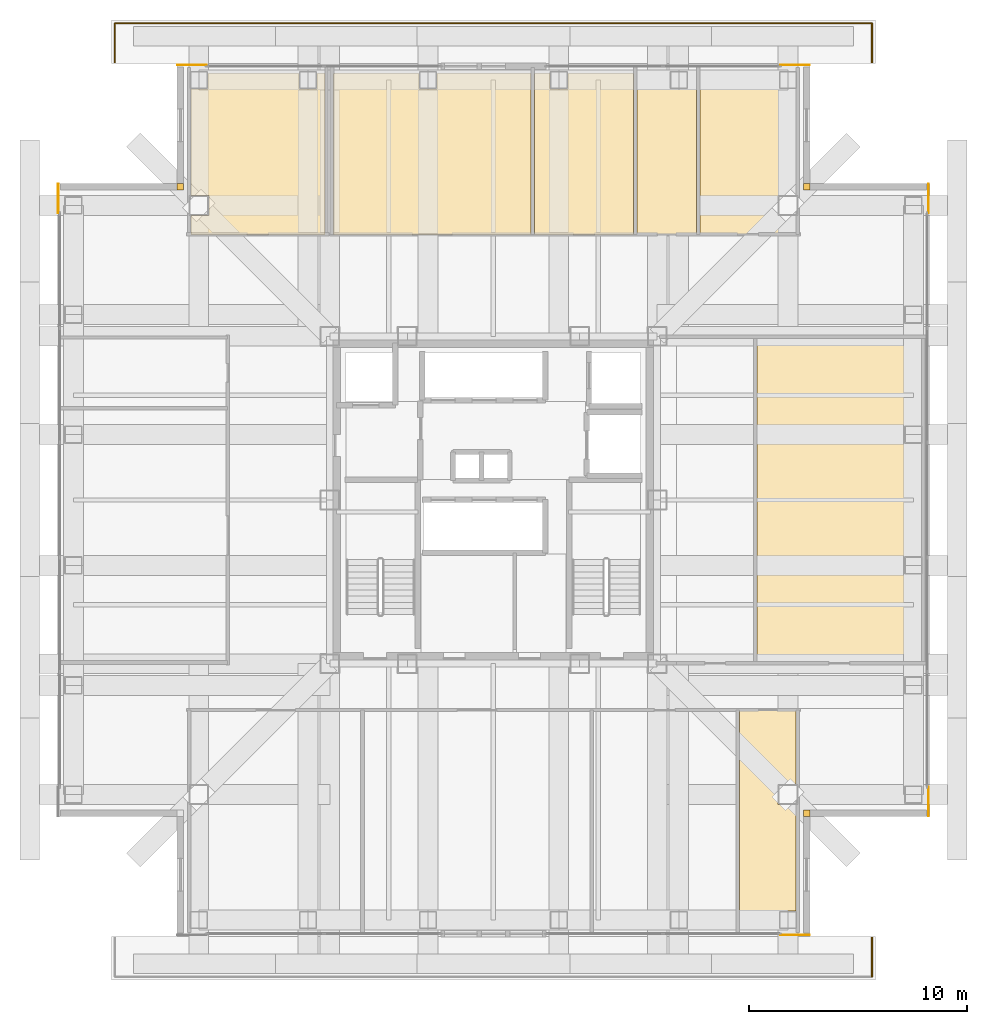
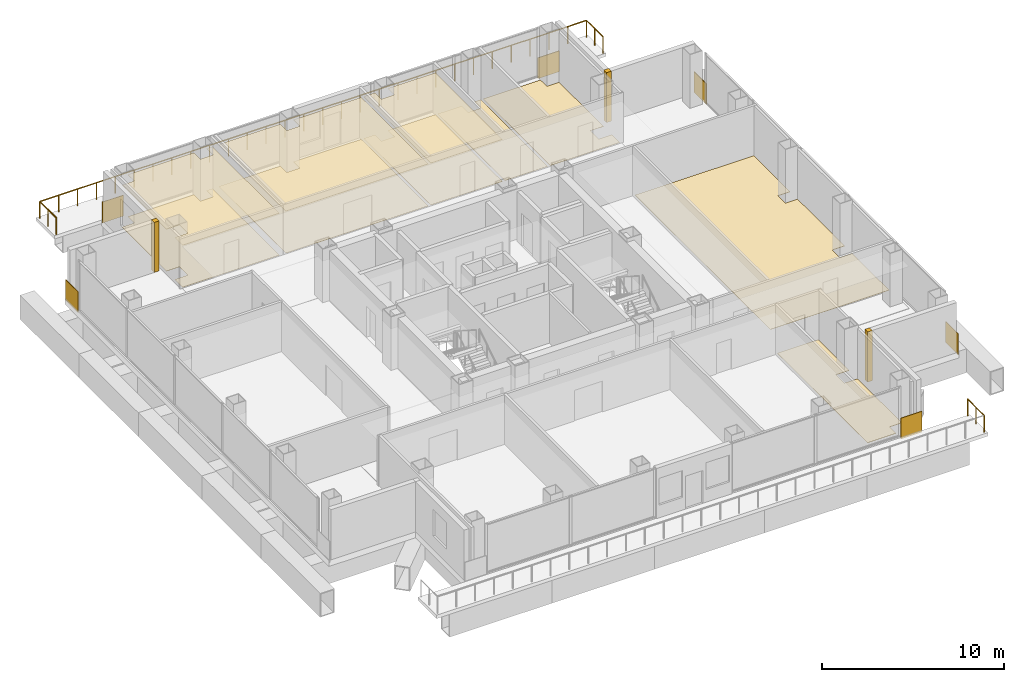
# One storey, part 14 of 14: 19 coverings, 4 railings.
"""IFC4 building model written with IfcOpenShell, lengths in metres."""

from ifc_helpers import new_model, si_unit, direction, frame, frame_2d, origin, origin_2d, place, context, subcontext, project, spatial, polyline, rectangle, circle, outline, extrude, material, layer, layer_set, type_object, element, save


model = new_model("IFC4")

# Units and contexts
model_context = context("Model", 3, precision=1e-05, world=origin(), true_north=direction((0.0, 1.0)))
body_context = subcontext(model_context, "Body", "Model", "MODEL_VIEW")
ifc_project = project(units=[si_unit("LENGTHUNIT", "METRE"), si_unit("AREAUNIT", "SQUARE_METRE"), si_unit("VOLUMEUNIT", "CUBIC_METRE"), si_unit("PLANEANGLEUNIT", "RADIAN"), si_unit("MASSUNIT", "GRAM", prefix="KILO")], contexts=[model_context])

# Site, building, storey
site_placement = place(None, origin())
site = spatial("IfcSite", under=ifc_project, at=site_placement, CompositionType="ELEMENT")
building_placement = place(site_placement, origin())
building = spatial("IfcBuilding", under=site, at=building_placement, Name="Trevonay Congress Spire", CompositionType="ELEMENT")
storey_placement = place(building_placement, frame((0.0, 0.0, 166.199951171875)))
storey = spatial("IfcBuildingStorey", under=building, at=storey_placement, Name="L42", CompositionType="ELEMENT", Elevation=166.199951171875)

# Coverings
ifc_material_1 = material(Name="Acoustic Mineral Fibre Board", Category="gypsum")
ifc_layer_1 = layer(ifc_material_1, 0.02490234375, Name="Acoustic Mineral Fibre Board")
ifc_layer_set_1 = layer_set([ifc_layer_1], Name="Acoustic Mineral Fibre Board")
covering_type_1 = type_object("IfcCoveringType", Name="COV-CEIL-ACOUSTIC", PredefinedType="CEILING", material=ifc_layer_set_1)
covering_1_placement = place(storey_placement, frame((0.0, 0.0, 2.81005859375)))
element("IfcCovering", 1, at=covering_1_placement, inside=storey, type_object=covering_type_1, Name="L42 North-West Viewing Terrace Salon acoustic suspended ceiling", PredefinedType="CEILING", context=body_context, shape_type="SweptSolid", body=[
    extrude(outline(polyline([(-7.72998046875, 19.550048828125), (-7.72998046875, 12.179931640625), (-13.8701171875, 12.179931640625), (-13.8701171875, 13.0400390625), (-13.0400390625, 13.0400390625), (-13.0400390625, 13.9599609375), (-13.8701171875, 13.9599609375), (-13.8701171875, 18.840087890625), (-13.090087890625, 18.840087890625), (-13.090087890625, 19.550048828125), (-8.909912109375, 19.550048828125), (-8.909912109375, 18.840087890625), (-8.090087890625, 18.840087890625), (-8.090087890625, 19.550048828125), (-7.72998046875, 19.550048828125)])), origin(), (0.0, 0.0, 1.0), 0.02490234375),
])
covering_2_placement = place(storey_placement, frame((0.0, 0.0, 2.81005859375)))
element("IfcCovering", 2, at=covering_2_placement, inside=storey, type_object=covering_type_1, Name="L42 Sky-Garden Boardroom acoustic suspended ceiling", PredefinedType="CEILING", context=body_context, shape_type="SweptSolid", body=[
    extrude(outline(polyline([(1.719970703125, 19.550048828125), (1.719970703125, 12.179931640625), (-7.320068359375, 12.179931640625), (-7.320068359375, 19.550048828125), (-3.409912109375, 19.550048828125), (-3.409912109375, 18.840087890625), (-2.590087890625, 18.840087890625), (-2.590087890625, 19.550048828125), (1.719970703125, 19.550048828125)])), origin(), (0.0, 0.0, 1.0), 0.02490234375),
])
covering_3_placement = place(storey_placement, frame((0.0, 0.0, 2.81005859375)))
element("IfcCovering", 3, at=covering_3_placement, inside=storey, type_object=covering_type_1, Name="L42 Catering Kitchen acoustic suspended ceiling", PredefinedType="CEILING", context=body_context, shape_type="SweptSolid", body=[
    extrude(outline(polyline([(6.419921875, 19.550048828125), (6.419921875, 12.179931640625), (1.8798828125, 12.179931640625), (1.8798828125, 19.550048828125), (2.590087890625, 19.550048828125), (2.590087890625, 18.840087890625), (3.409912109375, 18.840087890625), (3.409912109375, 19.550048828125), (6.419921875, 19.550048828125)])), origin(), (0.0, 0.0, 1.0), 0.02490234375),
])
ifc_material_2 = material(Name="Polished Granite Floor Tile", Category="masonry")
ifc_layer_2 = layer(ifc_material_2, 0.02001953125, Name="Polished Granite Floor Tile")
ifc_layer_set_2 = layer_set([ifc_layer_2], Name="Polished Granite Floor Tile")
covering_type_2 = type_object("IfcCoveringType", Name="COV-FLOOR-STONE", PredefinedType="FLOORING", material=ifc_layer_set_2)
covering_4_placement = place(storey_placement, origin())
element("IfcCovering", 4, at=covering_4_placement, inside=storey, type_object=covering_type_2, Name="L42 Accessible WC floor finish", PredefinedType="FLOORING", context=body_context, shape_type="SweptSolid", body=[
    extrude(outline(polyline([(11.280029296875, -19.550048828125), (11.280029296875, -9.6298828125), (13.8701171875, -9.6298828125), (13.8701171875, -13.0400390625), (13.0400390625, -13.0400390625), (13.0400390625, -13.9599609375), (13.8701171875, -13.9599609375), (13.8701171875, -18.840087890625), (13.090087890625, -18.840087890625), (13.090087890625, -19.550048828125), (11.280029296875, -19.550048828125)])), origin(), (0.0, 0.0, 1.0), 0.02001953125),
])
covering_5_placement = place(storey_placement, origin())
element("IfcCovering", 5, at=covering_5_placement, inside=storey, type_object=covering_type_2, Name="L42 Catering Kitchen floor finish", PredefinedType="FLOORING", context=body_context, shape_type="SweptSolid", body=[
    extrude(outline(polyline([(6.419921875, 19.550048828125), (6.419921875, 12.179931640625), (1.8798828125, 12.179931640625), (1.8798828125, 19.550048828125), (2.590087890625, 19.550048828125), (2.590087890625, 18.840087890625), (3.409912109375, 18.840087890625), (3.409912109375, 19.550048828125), (6.419921875, 19.550048828125)])), origin(), (0.0, 0.0, 1.0), 0.02001953125),
])
covering_6_placement = place(storey_placement, origin())
element("IfcCovering", 6, at=covering_6_placement, inside=storey, type_object=covering_type_2, Name="L42 Female Restroom WC floor finish", PredefinedType="FLOORING", context=body_context, shape_type="SweptSolid", body=[
    extrude(outline(polyline([(9.300048828125, 19.550048828125), (9.300048828125, 12.179931640625), (6.580078125, 12.179931640625), (6.580078125, 19.550048828125), (8.090087890625, 19.550048828125), (8.090087890625, 18.840087890625), (8.909912109375, 18.840087890625), (8.909912109375, 19.550048828125), (9.300048828125, 19.550048828125)])), origin(), (0.0, 0.0, 1.0), 0.02001953125),
])
covering_7_placement = place(storey_placement, origin())
element("IfcCovering", 7, at=covering_7_placement, inside=storey, type_object=covering_type_2, Name="L42 Floor Supplies and Copy Room floor finish", PredefinedType="FLOORING", context=body_context, shape_type="SweptSolid", body=[
    extrude(outline(polyline([(13.8701171875, 12.179931640625), (9.4599609375, 12.179931640625), (9.4599609375, 19.550048828125), (13.090087890625, 19.550048828125), (13.090087890625, 18.840087890625), (13.8701171875, 18.840087890625), (13.8701171875, 13.9599609375), (13.0400390625, 13.9599609375), (13.0400390625, 13.0400390625), (13.8701171875, 13.0400390625), (13.8701171875, 12.179931640625)])), origin(), (0.0, 0.0, 1.0), 0.02001953125),
])
covering_8_placement = place(storey_placement, origin())
element("IfcCovering", 8, at=covering_8_placement, inside=storey, type_object=covering_type_2, Name="L42 Courier Mailroom floor finish", PredefinedType="FLOORING", context=body_context, shape_type="SweptSolid", body=[
    extrude(outline(polyline([(19.6201171875, -7.47998046875), (12.080078125, -7.47998046875), (12.080078125, 7.39990234375), (19.6201171875, 7.39990234375), (19.6201171875, 3.409912109375), (18.840087890625, 3.409912109375), (18.840087890625, 2.590087890625), (19.6201171875, 2.590087890625), (19.6201171875, -2.590087890625), (18.840087890625, -2.590087890625), (18.840087890625, -3.409912109375), (19.6201171875, -3.409912109375), (19.6201171875, -7.47998046875)])), origin(), (0.0, 0.0, 1.0), 0.02001953125),
])
ifc_material_3 = material(Name="Engineered Oak Flooring", Category="wood")
ifc_layer_3 = layer(ifc_material_3, 0.01806640625, Name="Engineered Oak Flooring")
ifc_layer_set_3 = layer_set([ifc_layer_3], Name="Engineered Oak Flooring")
covering_type_3 = type_object("IfcCoveringType", Name="COV-FLOOR-TIMBER", PredefinedType="FLOORING", material=ifc_layer_set_3)
covering_9_placement = place(storey_placement, origin())
element("IfcCovering", 9, at=covering_9_placement, inside=storey, type_object=covering_type_3, Name="L42 North-West Viewing Terrace Salon floor finish", PredefinedType="FLOORING", context=body_context, shape_type="SweptSolid", body=[
    extrude(outline(polyline([(-7.72998046875, 19.550048828125), (-7.72998046875, 12.179931640625), (-13.8701171875, 12.179931640625), (-13.8701171875, 13.0400390625), (-13.0400390625, 13.0400390625), (-13.0400390625, 13.9599609375), (-13.8701171875, 13.9599609375), (-13.8701171875, 18.840087890625), (-13.090087890625, 18.840087890625), (-13.090087890625, 19.550048828125), (-8.909912109375, 19.550048828125), (-8.909912109375, 18.840087890625), (-8.090087890625, 18.840087890625), (-8.090087890625, 19.550048828125), (-7.72998046875, 19.550048828125)])), origin(), (0.0, 0.0, 1.0), 0.01806640625),
])
covering_10_placement = place(storey_placement, origin())
element("IfcCovering", 10, at=covering_10_placement, inside=storey, type_object=covering_type_3, Name="L42 Sky-Garden Boardroom floor finish", PredefinedType="FLOORING", context=body_context, shape_type="SweptSolid", body=[
    extrude(outline(polyline([(1.719970703125, 19.550048828125), (1.719970703125, 12.179931640625), (-7.320068359375, 12.179931640625), (-7.320068359375, 19.550048828125), (-3.409912109375, 19.550048828125), (-3.409912109375, 18.840087890625), (-2.590087890625, 18.840087890625), (-2.590087890625, 19.550048828125), (1.719970703125, 19.550048828125)])), origin(), (0.0, 0.0, 1.0), 0.01806640625),
])
ifc_material_4 = material(Name="Pale Anodised Aluminium EN AW-6063-T6", Category="aluminium")
ifc_layer_4 = layer(ifc_material_4, 0.0400390625, Name="Pale Anodised Aluminium EN AW-6063-T6")
ifc_layer_set_4 = layer_set([ifc_layer_4], Name="Pale Anodised Aluminium EN AW-6063-T6")
covering_type_4 = type_object("IfcCoveringType", Name="COV-SPANDREL-PALE-METAL", PredefinedType="CLADDING", material=ifc_layer_set_4)
covering_11_placement = place(storey_placement, origin())
element("IfcCovering", 11, at=covering_11_placement, inside=storey, type_object=covering_type_4, Name="L42 SE re-entrant notch corner closure trim", PredefinedType="CLADDING", context=body_context, shape_type="SweptSolid", body=[
    extrude(outline(polyline([(14.199951171875, -14.5), (14.5, -14.5), (14.5, -14.199951171875), (14.199951171875, -14.199951171875), (14.199951171875, -14.5)])), origin(), (0.0, 0.0, 1.0), 3.360107421875),
])
for number, where, z_axis, x_axis, name in (
    (12, (19.93994140625, -13.14990234375, -0.14990234375), (0.0, 0.0, 1.0), (0.0, -1.0, 0.0), "L42 SE corner pier spandrel cladding 1"),
    (13, (13.14990234375, -19.93994140625, -0.14990234375), (0.0, 0.0, 1.0), (1.0, 0.0, 0.0), "L42 SE corner pier spandrel cladding 2"),
):
    element("IfcCovering", number, at=place(storey_placement, frame(where, z_axis=z_axis, x_axis=x_axis)), inside=storey, type_object=covering_type_4, Name=name, PredefinedType="CLADDING", context=body_context, shape_type="SweptSolid", body=[
        extrude(rectangle(XDim=1.35009765625, YDim=0.0400390625, at=frame_2d((0.675048828125, 0.0))), origin(), (0.0, 0.0, 1.0), 1.39990234375),
    ])
covering_12_placement = place(storey_placement, origin())
element("IfcCovering", 14, at=covering_12_placement, inside=storey, type_object=covering_type_4, Name="L42 NE re-entrant notch corner closure trim", PredefinedType="CLADDING", context=body_context, shape_type="SweptSolid", body=[
    extrude(outline(polyline([(14.199951171875, 14.199951171875), (14.5, 14.199951171875), (14.5, 14.5), (14.199951171875, 14.5), (14.199951171875, 14.199951171875)])), origin(), (0.0, 0.0, 1.0), 3.360107421875),
])
for number, where, z_axis, x_axis, name in (
    (15, (19.93994140625, 13.14990234375, -0.14990234375), (0.0, 0.0, 1.0), (0.0, 1.0, 0.0), "L42 NE corner pier spandrel cladding 1"),
    (16, (13.14990234375, 19.93994140625, -0.14990234375), (0.0, 0.0, 1.0), (1.0, 0.0, 0.0), "L42 NE corner pier spandrel cladding 2"),
):
    element("IfcCovering", number, at=place(storey_placement, frame(where, z_axis=z_axis, x_axis=x_axis)), inside=storey, type_object=covering_type_4, Name=name, PredefinedType="CLADDING", context=body_context, shape_type="SweptSolid", body=[
        extrude(rectangle(XDim=1.35009765625, YDim=0.0400390625, at=frame_2d((0.675048828125, 0.0))), origin(), (0.0, 0.0, 1.0), 1.39990234375),
    ])
covering_13_placement = place(storey_placement, origin())
element("IfcCovering", 17, at=covering_13_placement, inside=storey, type_object=covering_type_4, Name="L42 NW re-entrant notch corner closure trim", PredefinedType="CLADDING", context=body_context, shape_type="SweptSolid", body=[
    extrude(outline(polyline([(-14.5, 14.199951171875), (-14.199951171875, 14.199951171875), (-14.199951171875, 14.5), (-14.5, 14.5), (-14.5, 14.199951171875)])), origin(), (0.0, 0.0, 1.0), 3.360107421875),
])
for number, where, z_axis, x_axis, name in (
    (18, (-19.93994140625, 13.14990234375, -0.14990234375), (0.0, 0.0, 1.0), (0.0, 1.0, 0.0), "L42 NW corner pier spandrel cladding 1"),
    (19, (-13.14990234375, 19.93994140625, -0.14990234375), (0.0, 0.0, 1.0), (-1.0, 0.0, 0.0), "L42 NW corner pier spandrel cladding 2"),
):
    element("IfcCovering", number, at=place(storey_placement, frame(where, z_axis=z_axis, x_axis=x_axis)), inside=storey, type_object=covering_type_4, Name=name, PredefinedType="CLADDING", context=body_context, shape_type="SweptSolid", body=[
        extrude(rectangle(XDim=1.35009765625, YDim=0.0400390625, at=frame_2d((0.675048828125, 0.0))), origin(), (0.0, 0.0, 1.0), 1.39990234375),
    ])

# Railings
railing_type = type_object("IfcRailingType", Name="RAL-BALUSTRADE-115", PredefinedType="BALUSTRADE", material=ifc_material_4)
for number, where, name in (
    (20, (17.35009765625, -21.85009765625, 0.0), "L42 perimeter safety guard GRD-L42-SKY-S-3"),
    (21, (-17.35009765625, 20.050048828125, 0.0), "L42 perimeter safety guard GRD-L42-SKY-N-1"),
):
    element("IfcRailing", number, at=place(storey_placement, frame(where)), inside=storey, type_object=railing_type, Name=name, PredefinedType="BALUSTRADE", context=body_context, shape_type="SweptSolid", body=[
        extrude(circle(Radius=0.02392578125, at=origin_2d()), frame((0.0, 0.0, 1.1259765625), z_axis=(0.0, 1.0, 0.0), x_axis=(-1.0, 0.0, 0.0)), (0.0, 0.0, 1.0), 1.800048828125),
        extrude(circle(Radius=0.02099609375, at=origin_2d()), origin(), (0.0, 0.0, 1.0), 1.101806640625),
        extrude(circle(Radius=0.02099609375, at=origin_2d()), frame((0.0, 0.89990234375, 0.0)), (0.0, 0.0, 1.0), 1.101806640625),
        extrude(circle(Radius=0.02099609375, at=origin_2d()), frame((0.0, 1.800048828125, 0.0)), (0.0, 0.0, 1.0), 1.101806640625),
    ])
railing_1_placement = place(storey_placement, frame((-17.35009765625, 21.85009765625, 0.0)))
element("IfcRailing", 22, at=railing_1_placement, inside=storey, type_object=railing_type, Name="L42 perimeter safety guard GRD-L42-SKY-N-2", PredefinedType="BALUSTRADE", context=body_context, shape_type="SweptSolid", body=[
    extrude(circle(Radius=0.02392578125, at=origin_2d()), frame((0.0, 0.0, 1.1259765625), z_axis=(1.0, 0.0, 0.0), x_axis=(0.0, 1.0, 0.0)), (0.0, 0.0, 1.0), 34.7001953125),
    extrude(circle(Radius=0.02099609375, at=origin_2d()), origin(), (0.0, 0.0, 1.0), 1.101806640625),
    extrude(circle(Radius=0.02099609375, at=origin_2d()), frame((1.196533203125, 0.0, 0.0)), (0.0, 0.0, 1.0), 1.101806640625),
    extrude(circle(Radius=0.02099609375, at=origin_2d()), frame((2.39306640625, 0.0, 0.0)), (0.0, 0.0, 1.0), 1.101806640625),
    extrude(circle(Radius=0.02099609375, at=origin_2d()), frame((3.589599609375, 0.0, 0.0)), (0.0, 0.0, 1.0), 1.101806640625),
    extrude(circle(Radius=0.02099609375, at=origin_2d()), frame((4.7861328125, 0.0, 0.0)), (0.0, 0.0, 1.0), 1.101806640625),
    extrude(circle(Radius=0.02099609375, at=origin_2d()), frame((5.98291015625, 0.0, 0.0)), (0.0, 0.0, 1.0), 1.101806640625),
    extrude(circle(Radius=0.02099609375, at=origin_2d()), frame((7.179443359375, 0.0, 0.0)), (0.0, 0.0, 1.0), 1.101806640625),
    extrude(circle(Radius=0.02099609375, at=origin_2d()), frame((8.3759765625, 0.0, 0.0)), (0.0, 0.0, 1.0), 1.101806640625),
    extrude(circle(Radius=0.02099609375, at=origin_2d()), frame((9.572509765625, 0.0, 0.0)), (0.0, 0.0, 1.0), 1.101806640625),
    extrude(circle(Radius=0.02099609375, at=origin_2d()), frame((10.76904296875, 0.0, 0.0)), (0.0, 0.0, 1.0), 1.101806640625),
    extrude(circle(Radius=0.02099609375, at=origin_2d()), frame((11.965576171875, 0.0, 0.0)), (0.0, 0.0, 1.0), 1.101806640625),
    extrude(circle(Radius=0.02099609375, at=origin_2d()), frame((13.162109375, 0.0, 0.0)), (0.0, 0.0, 1.0), 1.101806640625),
    extrude(circle(Radius=0.02099609375, at=origin_2d()), frame((14.358642578125, 0.0, 0.0)), (0.0, 0.0, 1.0), 1.101806640625),
    extrude(circle(Radius=0.02099609375, at=origin_2d()), frame((15.55517578125, 0.0, 0.0)), (0.0, 0.0, 1.0), 1.101806640625),
    extrude(circle(Radius=0.02099609375, at=origin_2d()), frame((16.751708984375, 0.0, 0.0)), (0.0, 0.0, 1.0), 1.101806640625),
    extrude(circle(Radius=0.02099609375, at=origin_2d()), frame((17.948486328125, 0.0, 0.0)), (0.0, 0.0, 1.0), 1.101806640625),
    extrude(circle(Radius=0.02099609375, at=origin_2d()), frame((19.14501953125, 0.0, 0.0)), (0.0, 0.0, 1.0), 1.101806640625),
    extrude(circle(Radius=0.02099609375, at=origin_2d()), frame((20.341552734375, 0.0, 0.0)), (0.0, 0.0, 1.0), 1.101806640625),
    extrude(circle(Radius=0.02099609375, at=origin_2d()), frame((21.5380859375, 0.0, 0.0)), (0.0, 0.0, 1.0), 1.101806640625),
    extrude(circle(Radius=0.02099609375, at=origin_2d()), frame((22.734619140625, 0.0, 0.0)), (0.0, 0.0, 1.0), 1.101806640625),
    extrude(circle(Radius=0.02099609375, at=origin_2d()), frame((23.93115234375, 0.0, 0.0)), (0.0, 0.0, 1.0), 1.101806640625),
    extrude(circle(Radius=0.02099609375, at=origin_2d()), frame((25.127685546875, 0.0, 0.0)), (0.0, 0.0, 1.0), 1.101806640625),
    extrude(circle(Radius=0.02099609375, at=origin_2d()), frame((26.32421875, 0.0, 0.0)), (0.0, 0.0, 1.0), 1.101806640625),
    extrude(circle(Radius=0.02099609375, at=origin_2d()), frame((27.520751953125, 0.0, 0.0)), (0.0, 0.0, 1.0), 1.101806640625),
    extrude(circle(Radius=0.02099609375, at=origin_2d()), frame((28.71728515625, 0.0, 0.0)), (0.0, 0.0, 1.0), 1.101806640625),
    extrude(circle(Radius=0.02099609375, at=origin_2d()), frame((29.9140625, 0.0, 0.0)), (0.0, 0.0, 1.0), 1.101806640625),
    extrude(circle(Radius=0.02099609375, at=origin_2d()), frame((31.110595703125, 0.0, 0.0)), (0.0, 0.0, 1.0), 1.101806640625),
    extrude(circle(Radius=0.02099609375, at=origin_2d()), frame((32.30712890625, 0.0, 0.0)), (0.0, 0.0, 1.0), 1.101806640625),
    extrude(circle(Radius=0.02099609375, at=origin_2d()), frame((33.503662109375, 0.0, 0.0)), (0.0, 0.0, 1.0), 1.101806640625),
    extrude(circle(Radius=0.02099609375, at=origin_2d()), frame((34.7001953125, 0.0, 0.0)), (0.0, 0.0, 1.0), 1.101806640625),
])
railing_2_placement = place(storey_placement, frame((17.35009765625, 21.85009765625, 0.0)))
element("IfcRailing", 23, at=railing_2_placement, inside=storey, type_object=railing_type, Name="L42 perimeter safety guard GRD-L42-SKY-N-3", PredefinedType="BALUSTRADE", context=body_context, shape_type="SweptSolid", body=[
    extrude(circle(Radius=0.02392578125, at=origin_2d()), frame((0.0, 0.0, 1.1259765625), z_axis=(0.0, -1.0, 0.0), x_axis=(1.0, 0.0, 0.0)), (0.0, 0.0, 1.0), 1.800048828125),
    extrude(circle(Radius=0.02099609375, at=origin_2d()), origin(), (0.0, 0.0, 1.0), 1.101806640625),
    extrude(circle(Radius=0.02099609375, at=origin_2d()), frame((0.0, -0.89990234375, 0.0)), (0.0, 0.0, 1.0), 1.101806640625),
    extrude(circle(Radius=0.02099609375, at=origin_2d()), frame((0.0, -1.800048828125, 0.0)), (0.0, 0.0, 1.0), 1.101806640625),
])

save(model, "model.ifc")
